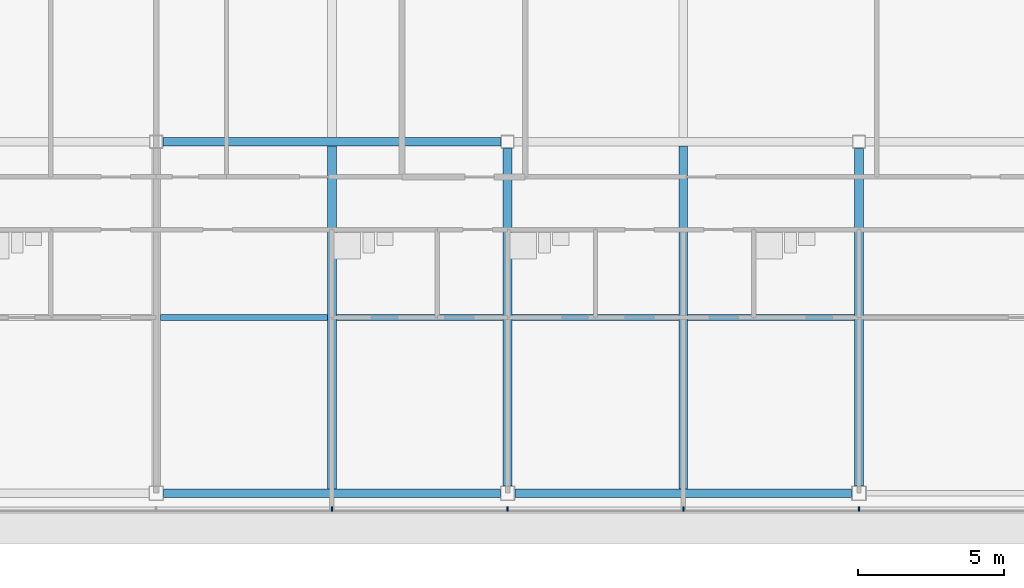
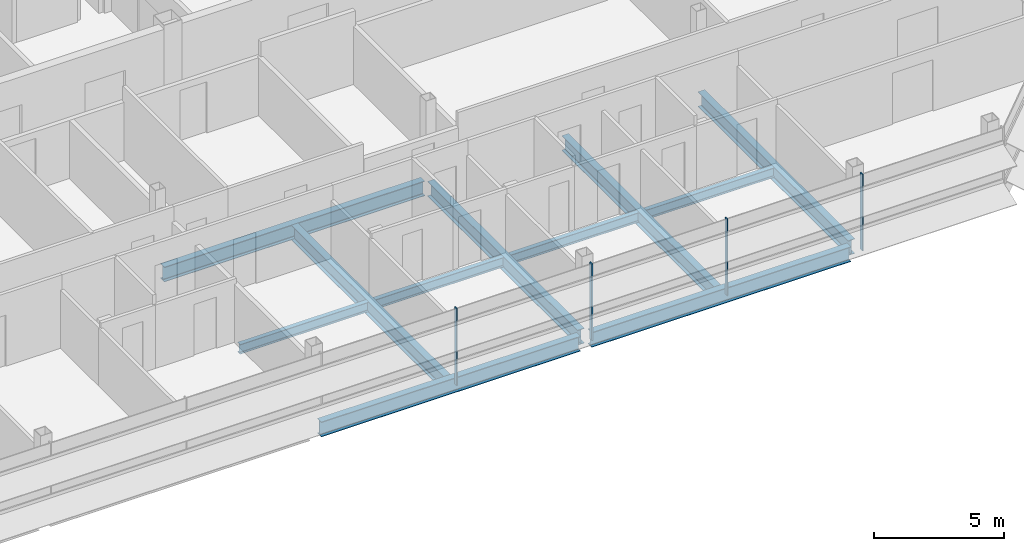
# One storey, part 10 of 28: 11 beams, 4 members, 1 element without a shape of its own.
"""IFC4 building model written with IfcOpenShell, lengths in metres."""

import ifcopenshell
import ifcopenshell.guid

model = None  # the IFC model being written
_history = None  # IfcOwnerHistory: only IFC2X3 demands one
_inside = {}  # id of a spatial element -> (the spatial element, [elements in it])
_under = {}  # id of a project, library or spatial element -> (it, [spatial elements below it])
_declared = {}  # id of a project -> (the project, [libraries it declares])
_typed = {}  # id of a type object -> (the type object, [elements of that type])
_made_of = {}  # id of a material, layer set ... -> (it, [elements and type objects made of it])


def new_model(schema):
    """Start an empty IFC model of exactly this schema.

    Asked for "IFC4X3", IfcOpenShell would pick the latest addendum, in which some entities
    have other attributes; the version numbers below select the first issue.
    IFC2X3 requires an IfcOwnerHistory on every rooted entity: one is made here for all.
    """
    global model, _history
    if schema == "IFC4X3":
        model = ifcopenshell.file(schema_version=(4, 3, 0, 0))
    else:
        model = ifcopenshell.file(schema=schema)
    _inside.clear()
    _under.clear()
    _declared.clear()
    _typed.clear()
    _made_of.clear()
    _history = None
    if model.schema == "IFC2X3":
        org = make("IfcOrganization", Name="unknown")
        user = make(
            "IfcPersonAndOrganization",
            ThePerson=make("IfcPerson", FamilyName="unknown"),
            TheOrganization=org,
        )
        app = make(
            "IfcApplication",
            ApplicationDeveloper=org,
            Version="unknown",
            ApplicationFullName="unknown",
            ApplicationIdentifier="unknown",
        )
        _history = make(
            "IfcOwnerHistory",
            OwningUser=user,
            OwningApplication=app,
            ChangeAction="ADDED",
            CreationDate=0,
        )
    return model


def make(cls, **values):
    """One entity of the class cls with the attributes given. An attribute that is None is left unset."""
    return model.create_entity(
        cls, **{name: value for name, value in values.items() if value is not None}
    )


def rooted(cls, **values):
    """An entity with a GlobalId (a new one), such as an element, a storey or a relation."""
    return make(cls, GlobalId=ifcopenshell.guid.new(), OwnerHistory=_history, **values)


def si_unit(unit_type, name, prefix=None):
    """IfcSIUnit, for example si_unit("LENGTHUNIT", "METRE", prefix="MILLI")."""
    return make("IfcSIUnit", UnitType=unit_type, Prefix=prefix, Name=name)


def assignment(units):
    """IfcUnitAssignment: the units of a project."""
    return None if units is None else make("IfcUnitAssignment", Units=units)


def point(xyz):
    """IfcCartesianPoint."""
    return None if xyz is None else make("IfcCartesianPoint", Coordinates=xyz)


def direction(xyz):
    """IfcDirection."""
    return None if xyz is None else make("IfcDirection", DirectionRatios=xyz)


def frame(location, z_axis=None, x_axis=None):
    """IfcAxis2Placement3D, a coordinate frame: its origin and axes. An axis left out is left unset."""
    return make(
        "IfcAxis2Placement3D",
        Location=point(location),
        Axis=direction(z_axis),
        RefDirection=direction(x_axis),
    )


def frame_2d(location, x_axis=None):
    """IfcAxis2Placement2D, a coordinate frame in the plane: its origin and x axis."""
    return make(
        "IfcAxis2Placement2D", Location=point(location), RefDirection=direction(x_axis)
    )


def origin():
    """The frame at (0, 0, 0) with its axes left unset."""
    return frame((0.0, 0.0, 0.0))


def origin_2d():
    """The frame at (0, 0) in the plane with its x axis left unset."""
    return frame_2d((0.0, 0.0))


def place(relative_to, where):
    """IfcLocalPlacement: puts the frame where relative to a parent placement (None: the world)."""
    return make(
        "IfcLocalPlacement", PlacementRelTo=relative_to, RelativePlacement=where
    )


def context(
    kind, dimensions, precision=None, world=None, true_north=None, identifier=None
):
    """IfcGeometricRepresentationContext, for example the 3D "Model" context."""
    return make(
        "IfcGeometricRepresentationContext",
        ContextIdentifier=identifier,
        ContextType=kind,
        CoordinateSpaceDimension=dimensions,
        Precision=precision,
        WorldCoordinateSystem=world,
        TrueNorth=true_north,
    )


def subcontext(parent, identifier, kind, view, scale=None):
    """IfcGeometricRepresentationSubContext, for example "Body" below "Model"."""
    return make(
        "IfcGeometricRepresentationSubContext",
        ContextIdentifier=identifier,
        ContextType=kind,
        ParentContext=parent,
        TargetScale=scale,
        TargetView=view,
    )


def project(units=None, contexts=None):
    """IfcProject with its units and contexts."""
    return rooted(
        "IfcProject",
        Name="project",
        RepresentationContexts=contexts,
        UnitsInContext=assignment(units),
    )


def spatial(cls, under=None, at=None, **own):
    """A site, building, storey or space (cls), placed at a placement, below another one or the project."""
    s = rooted(cls, ObjectPlacement=at, **own)
    if under is not None:
        _under.setdefault(under.id(), (under, []))[1].append(s)
    return s


def profile(cls, at=None, kind="AREA", **sizes):
    """A parametric profile (cls). Its sizes go by their IFC names, for example OverallWidth=200.0."""
    return make(cls, ProfileType=kind, Position=at, **sizes)


def rectangle(**sizes):
    """IfcRectangleProfileDef."""
    return profile("IfcRectangleProfileDef", **sizes)


def i_section(**sizes):
    """IfcIShapeProfileDef."""
    return profile("IfcIShapeProfileDef", **sizes)


def extrude(swept, where, along, depth):
    """IfcExtrudedAreaSolid: the profile swept, set in the frame where, extruded along a direction by depth."""
    return make(
        "IfcExtrudedAreaSolid",
        SweptArea=swept,
        Position=where,
        ExtrudedDirection=direction(along),
        Depth=depth,
    )


def shape(context_of_items, identifier, shape_type, items):
    """IfcShapeRepresentation: the items that make up one representation, for example the "Body"."""
    return make(
        "IfcShapeRepresentation",
        ContextOfItems=context_of_items,
        RepresentationIdentifier=identifier,
        RepresentationType=shape_type,
        Items=items,
    )


def material(Name=None, Category=None):
    """IfcMaterial."""
    return make("IfcMaterial", Name=Name, Category=Category)


def material_profile(
    of_material, cross_section, Name=None, Category=None, Priority=None
):
    """IfcMaterialProfile: a cross section and its material."""
    return make(
        "IfcMaterialProfile",
        Name=Name,
        Material=of_material,
        Profile=cross_section,
        Priority=Priority,
        Category=Category,
    )


def profile_set(profiles, Name=None, composite=None):
    """IfcMaterialProfileSet."""
    return make(
        "IfcMaterialProfileSet",
        Name=Name,
        MaterialProfiles=profiles,
        CompositeProfile=composite,
    )


def made_of(thing, what):
    """Note that an element or type object is made of a material, layer set ...; save() writes the relation."""
    if what is not None:
        _made_of.setdefault(what.id(), (what, []))[1].append(thing)
    return thing


def type_object(cls, material=None, **own):
    """A type object (cls), such as IfcWallType, which elements share."""
    return made_of(rooted(cls, **own), material)


def element(
    cls,
    number,
    at=None,
    inside=None,
    cuts=None,
    type_object=None,
    material=None,
    context=None,
    identifier="Body",
    shape_type=None,
    held_by="IfcProductDefinitionShape",
    body=None,
    shapes=None,
    **own,
):
    """One element of the class cls, such as IfcWall. Its Tag is "e" and its number.

    at: its placement. inside: the storey or other place that contains it. cuts: it is an
    opening in that element (IfcRelVoidsElement). A single representation is given by context,
    identifier, shape_type and body (its items); several are given by shapes. held_by: the class
    of the entity that holds the representations. save() writes the other relations.
    """
    e = rooted(cls, Tag="e%d" % number, ObjectPlacement=at, **own)
    if body is not None:
        shapes = [shape(context, identifier, shape_type, body)]
    if shapes is not None:
        e.Representation = make(held_by, Representations=shapes)
    if inside is not None:
        _inside.setdefault(inside.id(), (inside, []))[1].append(e)
    if cuts is not None:
        rooted(
            "IfcRelVoidsElement", RelatingBuildingElement=cuts, RelatedOpeningElement=e
        )
    if type_object is not None:
        _typed.setdefault(type_object.id(), (type_object, []))[1].append(e)
    return made_of(e, material)


def aggregate(whole, parts):
    """IfcRelAggregates: a whole, such as a stair, and the parts it consists of."""
    return rooted("IfcRelAggregates", RelatingObject=whole, RelatedObjects=parts)


def save(model, path):
    """Write the relations noted so far, then the file.

    IfcRelAggregates (storeys below a building ...), IfcRelContainedInSpatialStructure (elements
    in a storey), IfcRelDefinesByType, IfcRelAssociatesMaterial and IfcRelDeclares: one each for
    every whole, place, type object, material and project.
    """
    for whole, parts in _under.values():
        aggregate(whole, parts)
    for where, things in _inside.values():
        rooted(
            "IfcRelContainedInSpatialStructure",
            RelatedElements=things,
            RelatingStructure=where,
        )
    for kind, things in _typed.values():
        rooted("IfcRelDefinesByType", RelatedObjects=things, RelatingType=kind)
    for what, things in _made_of.values():
        rooted("IfcRelAssociatesMaterial", RelatedObjects=things, RelatingMaterial=what)
    for by, libraries in _declared.values():
        rooted("IfcRelDeclares", RelatingContext=by, RelatedDefinitions=libraries)
    model.write(path)


model = new_model("IFC4")

# Units and contexts
model_context = context("Model", 3, precision=1e-05, world=origin(), true_north=direction((0.0, 1.0)))
body_context = subcontext(model_context, "Body", "Model", "MODEL_VIEW")
ifc_project = project(units=[si_unit("LENGTHUNIT", "METRE"), si_unit("AREAUNIT", "SQUARE_METRE"), si_unit("VOLUMEUNIT", "CUBIC_METRE"), si_unit("PLANEANGLEUNIT", "RADIAN"), si_unit("MASSUNIT", "GRAM", prefix="KILO")], contexts=[model_context])

# Site, building, storey
site_placement = place(None, origin())
site = spatial("IfcSite", under=ifc_project, at=site_placement, CompositionType="ELEMENT")
building_placement = place(site_placement, origin())
building = spatial("IfcBuilding", under=site, at=building_placement, Name="Sorahane Residences", CompositionType="ELEMENT")
storey_placement = place(building_placement, frame((0.0, 0.0, 308.800048828125)))
storey = spatial("IfcBuildingStorey", under=building, at=storey_placement, Name="L73", CompositionType="ELEMENT", Elevation=308.800048828125)

# Curtain wall, members
ifc_material_1 = material(Name="Dark low-e glass and black anodised aluminium", Category="aluminium")
curtain_wall_type = type_object("IfcCurtainWallType", Name="Curtain wall CW-1 Typical unitised wall", PredefinedType="NOTDEFINED", material=ifc_material_1)
curtain_wall_placement = place(storey_placement, origin())
curtain_wall = element("IfcCurtainWall", 1, at=curtain_wall_placement, inside=storey, type_object=curtain_wall_type, Name="CW-1 curtain wall L73 S1", PredefinedType="NOTDEFINED")
ifc_material_2 = material(Name="Black anodised aluminium", Category="aluminium")
ifc_material_profile_1 = material_profile(ifc_material_2, rectangle(XDim=0.159912109375, YDim=0.050048828125, at=origin_2d()), Name="Curtain wall mullion CW-1 black anodised aluminium 50x160")
ifc_profile_set_1 = profile_set([ifc_material_profile_1], Name="Black anodised aluminium")
member_type = type_object("IfcMemberType", Name="Curtain wall mullion CW-1 black anodised aluminium 50x160", PredefinedType="MULLION", material=ifc_profile_set_1)
member_1_placement = place(storey_placement, frame((18.0, -0.5400390625, -0.179931640625), z_axis=(0.0, 0.0, 1.0), x_axis=(0.0, -1.0, 0.0)))
member_1 = element("IfcMember", 2, at=member_1_placement, type_object=member_type, Name="CW-1 mullion L73 S1.6", PredefinedType="MULLION", context=body_context, shape_type="SweptSolid", body=[
    extrude(rectangle(XDim=0.159912109375, YDim=0.050048828125, at=origin_2d()), origin(), (0.0, 0.0, 1.0), 3.599853515625),
])
member_2_placement = place(storey_placement, frame((24.0, -0.5400390625, -0.179931640625), z_axis=(0.0, 0.0, 1.0), x_axis=(0.0, -1.0, 0.0)))
member_2 = element("IfcMember", 3, at=member_2_placement, type_object=member_type, Name="CW-1 mullion L73 S1.7", PredefinedType="MULLION", context=body_context, shape_type="SweptSolid", body=[
    extrude(rectangle(XDim=0.159912109375, YDim=0.050048828125, at=origin_2d()), origin(), (0.0, 0.0, 1.0), 3.599853515625),
])
member_3_placement = place(storey_placement, frame((30.0, -0.5400390625, -0.179931640625), z_axis=(0.0, 0.0, 1.0), x_axis=(0.0, -1.0, 0.0)))
member_3 = element("IfcMember", 4, at=member_3_placement, type_object=member_type, Name="CW-1 mullion L73 S1.8", PredefinedType="MULLION", context=body_context, shape_type="SweptSolid", body=[
    extrude(rectangle(XDim=0.159912109375, YDim=0.050048828125, at=origin_2d()), origin(), (0.0, 0.0, 1.0), 3.599853515625),
])
member_4_placement = place(storey_placement, frame((36.0, -0.5400390625, -0.179931640625), z_axis=(0.0, 0.0, 1.0), x_axis=(0.0, -1.0, 0.0)))
member_4 = element("IfcMember", 5, at=member_4_placement, type_object=member_type, Name="CW-1 mullion L73 S1.9", PredefinedType="MULLION", context=body_context, shape_type="SweptSolid", body=[
    extrude(rectangle(XDim=0.159912109375, YDim=0.050048828125, at=origin_2d()), origin(), (0.0, 0.0, 1.0), 3.599853515625),
])
aggregate(curtain_wall, [member_1, member_2, member_3, member_4])

# Beams
ifc_material_3 = material(Name="Steel Q355B", Category="steel")
ifc_material_profile_2 = material_profile(ifc_material_3, i_section(OverallWidth=0.199951171875, OverallDepth=0.449951171875, WebThickness=0.009033203125, FlangeThickness=0.013916015625, FilletRadius=0.02001953125, at=origin_2d()), Name="HN 450x200x9x14")
ifc_profile_set_2 = profile_set([ifc_material_profile_2], Name="Steel Q355B")
beam_type_1 = type_object("IfcBeamType", Name="Steel floor beam HN 450x200x9x14 Q355B", PredefinedType="BEAM", material=ifc_profile_set_2)
for number, where, z_axis, x_axis, name in (
    (6, (12.14990234375, 6.0, -0.405029296875), (1.0, 0.0, 0.0), (0.0, 1.0, 0.0), "Beam L73 070"),
    (7, (18.14990234375, 6.0, -0.405029296875), (1.0, 0.0, 0.0), (0.0, 1.0, 0.0), "Beam L73 071"),
    (8, (24.14990234375, 6.0, -0.405029296875), (1.0, 0.0, 0.0), (0.0, 1.0, 0.0), "Beam L73 072"),
    (9, (30.14990234375, 6.0, -0.405029296875), (1.0, 0.0, 0.0), (0.0, 1.0, 0.0), "Beam L73 073"),
):
    element("IfcBeam", number, at=place(storey_placement, frame(where, z_axis=z_axis, x_axis=x_axis)), inside=storey, type_object=beam_type_1, Name=name, PredefinedType="BEAM", context=body_context, shape_type="SweptSolid", body=[
        extrude(i_section(OverallWidth=0.199951171875, OverallDepth=0.449951171875, WebThickness=0.009033203125, FlangeThickness=0.013916015625, FilletRadius=0.02001953125, at=origin_2d()), origin(), (0.0, 0.0, 1.0), 5.7001953125),
    ])
ifc_material_4 = material(Name="Steel Q355B", Category="steel")
ifc_material_profile_3 = material_profile(ifc_material_4, i_section(OverallWidth=0.300048828125, OverallDepth=0.699951171875, WebThickness=0.012939453125, FlangeThickness=0.02392578125, FilletRadius=0.028076171875, at=origin_2d()), Name="HN 700x300x13x24")
ifc_profile_set_3 = profile_set([ifc_material_profile_3], Name="Steel Q355B")
beam_type_2 = type_object("IfcBeamType", Name="Steel floor beam HN 700x300x13x24 Q355B", PredefinedType="BEAM", material=ifc_profile_set_3)
for number, where, z_axis, x_axis, name in (
    (10, (12.25, 0.0, -0.530029296875), (1.0, 0.0, 0.0), (0.0, 1.0, 0.0), "Beam L73 002"),
    (11, (24.25, 0.0, -0.530029296875), (1.0, 0.0, 0.0), (0.0, 1.0, 0.0), "Beam L73 003"),
):
    element("IfcBeam", number, at=place(storey_placement, frame(where, z_axis=z_axis, x_axis=x_axis)), inside=storey, type_object=beam_type_2, Name=name, PredefinedType="BEAM", context=body_context, shape_type="SweptSolid", body=[
        extrude(i_section(OverallWidth=0.300048828125, OverallDepth=0.699951171875, WebThickness=0.012939453125, FlangeThickness=0.02392578125, FilletRadius=0.028076171875, at=origin_2d()), origin(), (0.0, 0.0, 1.0), 11.5),
    ])
beam_1_placement = place(storey_placement, frame((12.22509765625, 12.0, -0.530029296875), z_axis=(1.0, 0.0, 0.0), x_axis=(0.0, 1.0, 0.0)))
element("IfcBeam", 12, at=beam_1_placement, inside=storey, type_object=beam_type_2, Name="Beam L73 008", PredefinedType="BEAM", context=body_context, shape_type="SweptSolid", body=[
    extrude(i_section(OverallWidth=0.300048828125, OverallDepth=0.699951171875, WebThickness=0.012939453125, FlangeThickness=0.02392578125, FilletRadius=0.028076171875, at=origin_2d()), origin(), (0.0, 0.0, 1.0), 11.5498046875),
])
beam_2_placement = place(storey_placement, frame((18.0, 0.14990234375, -0.530029296875), z_axis=(0.0, 1.0, 0.0), x_axis=(-1.0, 0.0, 0.0)))
element("IfcBeam", 13, at=beam_2_placement, inside=storey, type_object=beam_type_2, Name="Beam L73 040", PredefinedType="BEAM", context=body_context, shape_type="SweptSolid", body=[
    extrude(i_section(OverallWidth=0.300048828125, OverallDepth=0.699951171875, WebThickness=0.012939453125, FlangeThickness=0.02392578125, FilletRadius=0.028076171875, at=origin_2d()), origin(), (0.0, 0.0, 1.0), 11.7001953125),
])
beam_3_placement = place(storey_placement, frame((24.0, 0.25, -0.530029296875), z_axis=(0.0, 1.0, 0.0), x_axis=(-1.0, 0.0, 0.0)))
element("IfcBeam", 14, at=beam_3_placement, inside=storey, type_object=beam_type_2, Name="Beam L73 046", PredefinedType="BEAM", context=body_context, shape_type="SweptSolid", body=[
    extrude(i_section(OverallWidth=0.300048828125, OverallDepth=0.699951171875, WebThickness=0.012939453125, FlangeThickness=0.02392578125, FilletRadius=0.028076171875, at=origin_2d()), origin(), (0.0, 0.0, 1.0), 11.52490234375),
])
beam_4_placement = place(storey_placement, frame((30.0, 0.14990234375, -0.530029296875), z_axis=(0.0, 1.0, 0.0), x_axis=(-1.0, 0.0, 0.0)))
element("IfcBeam", 15, at=beam_4_placement, inside=storey, type_object=beam_type_2, Name="Beam L73 048", PredefinedType="BEAM", context=body_context, shape_type="SweptSolid", body=[
    extrude(i_section(OverallWidth=0.300048828125, OverallDepth=0.699951171875, WebThickness=0.012939453125, FlangeThickness=0.02392578125, FilletRadius=0.028076171875, at=origin_2d()), origin(), (0.0, 0.0, 1.0), 11.7001953125),
])
beam_5_placement = place(storey_placement, frame((36.0, 0.25, -0.530029296875), z_axis=(0.0, 1.0, 0.0), x_axis=(-1.0, 0.0, 0.0)))
element("IfcBeam", 16, at=beam_5_placement, inside=storey, type_object=beam_type_2, Name="Beam L73 054", PredefinedType="BEAM", context=body_context, shape_type="SweptSolid", body=[
    extrude(i_section(OverallWidth=0.300048828125, OverallDepth=0.699951171875, WebThickness=0.012939453125, FlangeThickness=0.02392578125, FilletRadius=0.028076171875, at=origin_2d()), origin(), (0.0, 0.0, 1.0), 11.52490234375),
])

save(model, "model.ifc")
